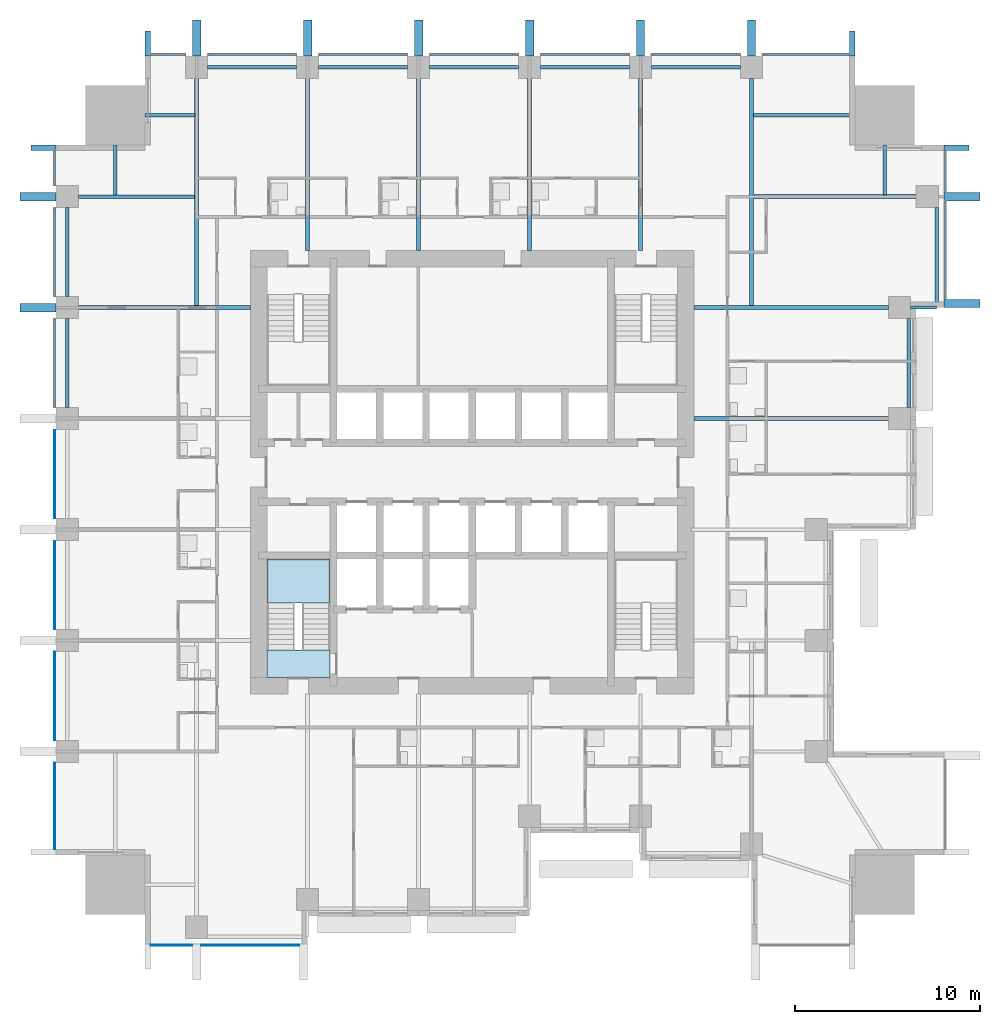
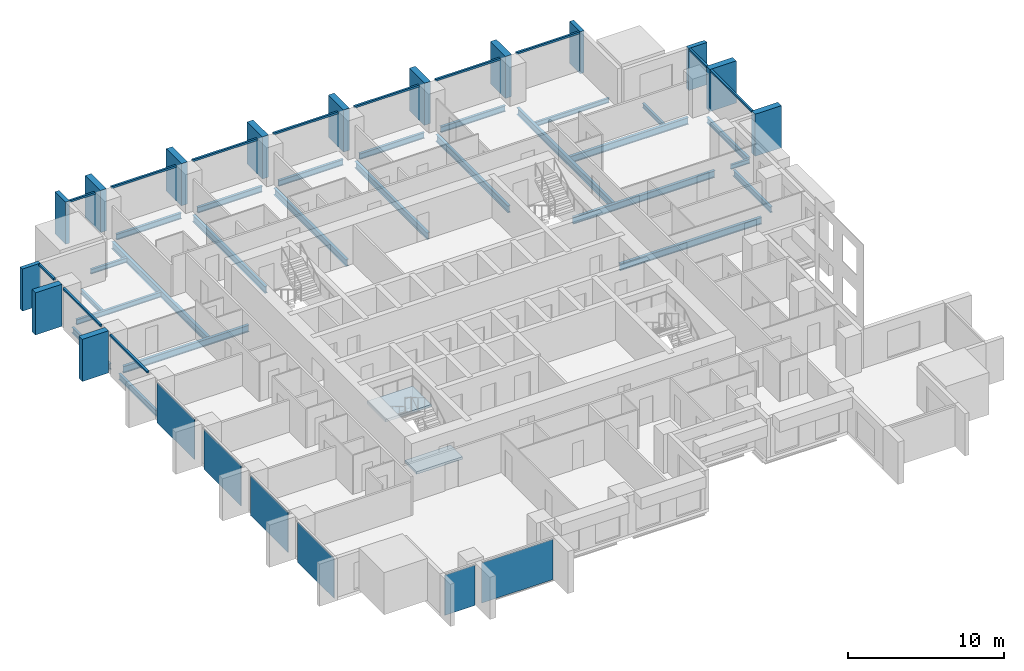
# One storey, part 2 of 10: 26 members, 25 beams, 6 plates, 2 slabs, 5 elements without a shape of their own.
"""IFC4 building model written with IfcOpenShell, lengths in metres."""

from ifc_helpers import new_model, si_unit, direction, frame, origin, origin_2d, place, context, subcontext, project, spatial, polyline, rectangle, i_section, outline, extrude, material, layer, layer_set, material_profile, profile_set, type_object, element, aggregate, save


model = new_model("IFC4")

# Units and contexts
model_context = context("Model", 3, precision=1e-05, world=origin(), true_north=direction((0.0, 1.0)))
body_context = subcontext(model_context, "Body", "Model", "MODEL_VIEW")
ifc_project = project(units=[si_unit("LENGTHUNIT", "METRE"), si_unit("AREAUNIT", "SQUARE_METRE"), si_unit("VOLUMEUNIT", "CUBIC_METRE"), si_unit("PLANEANGLEUNIT", "RADIAN"), si_unit("MASSUNIT", "GRAM", prefix="KILO")], contexts=[model_context])

# Site, building, storey
site_placement = place(None, origin())
site = spatial("IfcSite", under=ifc_project, at=site_placement, CompositionType="ELEMENT")
building_placement = place(site_placement, origin())
building = spatial("IfcBuilding", under=site, at=building_placement, Name="Amberfall Residences", CompositionType="ELEMENT")
storey_placement = place(building_placement, frame((0.0, 0.0, 30.10009765625)))
storey = spatial("IfcBuildingStorey", under=building, at=storey_placement, Name="L07", CompositionType="ELEMENT", Elevation=30.10009765625)

# Curtain wall, members
ifc_material_1 = material(Name="Bronze anodised aluminium and glass", Category="aluminium")
curtain_wall_type = type_object("IfcCurtainWallType", Name="Curtain wall CW1 tower unit", PredefinedType="USERDEFINED", material=ifc_material_1)
curtain_wall_1_placement = place(storey_placement, origin())
curtain_wall_1 = element("IfcCurtainWall", 1, at=curtain_wall_1_placement, inside=storey, type_object=curtain_wall_type, Name="Curtain wall L07 E E9", ObjectType="UNITISED CURTAIN WALL", PredefinedType="USERDEFINED")
ifc_material_2 = material(Name="Bronze anodised aluminium", Category="aluminium")
ifc_material_profile_1 = material_profile(ifc_material_2, rectangle(XDim=0.14990234375, YDim=0.14990234375, at=origin_2d()), Name="CW1 transom 150 x 150 bronze")
ifc_profile_set_1 = profile_set([ifc_material_profile_1], Name="Bronze anodised aluminium")
member_type_1 = type_object("IfcMemberType", Name="CW1 transom 150 x 150 bronze", PredefinedType="USERDEFINED", material=ifc_profile_set_1)
member_1_placement = place(storey_placement, frame((100.074951171875, 54.85009765625, 2.974853515625), z_axis=(0.0, 1.0, 0.0), x_axis=(-1.0, 0.0, 0.0)))
member_1 = element("IfcMember", 2, at=member_1_placement, type_object=member_type_1, Name="CW1 transom 1.1", ObjectType="TRANSOM", PredefinedType="USERDEFINED", context=body_context, shape_type="SweptSolid", body=[
    extrude(rectangle(XDim=0.14990234375, YDim=0.14990234375, at=origin_2d()), origin(), (0.0, 0.0, 1.0), 5.324951171875),
])
member_2_placement = place(storey_placement, frame((100.074951171875, 60.625, 2.974853515625), z_axis=(0.0, 1.0, 0.0), x_axis=(-1.0, 0.0, 0.0)))
member_2 = element("IfcMember", 3, at=member_2_placement, type_object=member_type_1, Name="CW1 transom 2.1", ObjectType="TRANSOM", PredefinedType="USERDEFINED", context=body_context, shape_type="SweptSolid", body=[
    extrude(rectangle(XDim=0.14990234375, YDim=0.14990234375, at=origin_2d()), origin(), (0.0, 0.0, 1.0), 2.27490234375),
])

curtain_wall_2_placement = place(storey_placement, origin())
curtain_wall_2 = element("IfcCurtainWall", 4, at=curtain_wall_2_placement, inside=storey, type_object=curtain_wall_type, Name="Curtain wall L07 N N1", ObjectType="UNITISED CURTAIN WALL", PredefinedType="USERDEFINED")
member_3_placement = place(storey_placement, frame((94.89990234375, 68.074951171875, 2.974853515625), z_axis=(-1.0, 0.0, 0.0), x_axis=(0.0, -1.0, 0.0)))
member_3 = element("IfcMember", 5, at=member_3_placement, type_object=member_type_1, Name="CW1 transom 1.1", ObjectType="TRANSOM", PredefinedType="USERDEFINED", context=body_context, shape_type="SweptSolid", body=[
    extrude(rectangle(XDim=0.14990234375, YDim=0.14990234375, at=origin_2d()), origin(), (0.0, 0.0, 1.0), 4.69482421875),
])
member_4_placement = place(storey_placement, frame((88.9951171875, 68.074951171875, 2.974853515625), z_axis=(-1.0, 0.0, 0.0), x_axis=(0.0, -1.0, 0.0)))
member_4 = element("IfcMember", 6, at=member_4_placement, type_object=member_type_1, Name="CW1 transom 2.1", ObjectType="TRANSOM", PredefinedType="USERDEFINED", context=body_context, shape_type="SweptSolid", body=[
    extrude(rectangle(XDim=0.14990234375, YDim=0.14990234375, at=origin_2d()), origin(), (0.0, 0.0, 1.0), 4.7900390625),
])
member_5_placement = place(storey_placement, frame((82.9951171875, 68.074951171875, 2.974853515625), z_axis=(-1.0, 0.0, 0.0), x_axis=(0.0, -1.0, 0.0)))
member_5 = element("IfcMember", 7, at=member_5_placement, type_object=member_type_1, Name="CW1 transom 3.1", ObjectType="TRANSOM", PredefinedType="USERDEFINED", context=body_context, shape_type="SweptSolid", body=[
    extrude(rectangle(XDim=0.14990234375, YDim=0.14990234375, at=origin_2d()), origin(), (0.0, 0.0, 1.0), 4.7900390625),
])
member_6_placement = place(storey_placement, frame((76.9951171875, 68.074951171875, 2.974853515625), z_axis=(-1.0, 0.0, 0.0), x_axis=(0.0, -1.0, 0.0)))
member_6 = element("IfcMember", 8, at=member_6_placement, type_object=member_type_1, Name="CW1 transom 4.1", ObjectType="TRANSOM", PredefinedType="USERDEFINED", context=body_context, shape_type="SweptSolid", body=[
    extrude(rectangle(XDim=0.14990234375, YDim=0.14990234375, at=origin_2d()), origin(), (0.0, 0.0, 1.0), 4.7900390625),
])
member_7_placement = place(storey_placement, frame((70.9951171875, 68.074951171875, 2.974853515625), z_axis=(-1.0, 0.0, 0.0), x_axis=(0.0, -1.0, 0.0)))
member_7 = element("IfcMember", 9, at=member_7_placement, type_object=member_type_1, Name="CW1 transom 5.1", ObjectType="TRANSOM", PredefinedType="USERDEFINED", context=body_context, shape_type="SweptSolid", body=[
    extrude(rectangle(XDim=0.14990234375, YDim=0.14990234375, at=origin_2d()), origin(), (0.0, 0.0, 1.0), 4.7900390625),
])
member_8_placement = place(storey_placement, frame((64.9951171875, 68.074951171875, 2.974853515625), z_axis=(-1.0, 0.0, 0.0), x_axis=(0.0, -1.0, 0.0)))
member_8 = element("IfcMember", 10, at=member_8_placement, type_object=member_type_1, Name="CW1 transom 6.1", ObjectType="TRANSOM", PredefinedType="USERDEFINED", context=body_context, shape_type="SweptSolid", body=[
    extrude(rectangle(XDim=0.14990234375, YDim=0.14990234375, at=origin_2d()), origin(), (0.0, 0.0, 1.0), 4.7900390625),
])
member_9_placement = place(storey_placement, frame((58.9951171875, 68.074951171875, 2.974853515625), z_axis=(-1.0, 0.0, 0.0), x_axis=(0.0, -1.0, 0.0)))
member_9 = element("IfcMember", 11, at=member_9_placement, type_object=member_type_1, Name="CW1 transom 7.1", ObjectType="TRANSOM", PredefinedType="USERDEFINED", context=body_context, shape_type="SweptSolid", body=[
    extrude(rectangle(XDim=0.14990234375, YDim=0.14990234375, at=origin_2d()), origin(), (0.0, 0.0, 1.0), 1.89501953125),
])

curtain_wall_3_placement = place(storey_placement, origin())
curtain_wall_3 = element("IfcCurtainWall", 12, at=curtain_wall_3_placement, inside=storey, type_object=curtain_wall_type, Name="Curtain wall L07 W W1", ObjectType="UNITISED CURTAIN WALL", PredefinedType="USERDEFINED")
member_10_placement = place(storey_placement, frame((51.925048828125, 62.89990234375, 2.974853515625), z_axis=(0.0, -1.0, 0.0), x_axis=(1.0, 0.0, 0.0)))
member_10 = element("IfcMember", 13, at=member_10_placement, type_object=member_type_1, Name="CW1 transom 1.1", ObjectType="TRANSOM", PredefinedType="USERDEFINED", context=body_context, shape_type="SweptSolid", body=[
    extrude(rectangle(XDim=0.14990234375, YDim=0.14990234375, at=origin_2d()), origin(), (0.0, 0.0, 1.0), 1.89501953125),
])
member_11_placement = place(storey_placement, frame((51.925048828125, 59.794921875, 2.974853515625), z_axis=(0.0, -1.0, 0.0), x_axis=(1.0, 0.0, 0.0)))
member_11 = element("IfcMember", 14, at=member_11_placement, type_object=member_type_1, Name="CW1 transom 2.1", ObjectType="TRANSOM", PredefinedType="USERDEFINED", context=body_context, shape_type="SweptSolid", body=[
    extrude(rectangle(XDim=0.14990234375, YDim=0.14990234375, at=origin_2d()), origin(), (0.0, 0.0, 1.0), 4.7900390625),
])
member_12_placement = place(storey_placement, frame((51.925048828125, 53.794921875, 2.974853515625), z_axis=(0.0, -1.0, 0.0), x_axis=(1.0, 0.0, 0.0)))
member_12 = element("IfcMember", 15, at=member_12_placement, type_object=member_type_1, Name="CW1 transom 3.1", ObjectType="TRANSOM", PredefinedType="USERDEFINED", context=body_context, shape_type="SweptSolid", body=[
    extrude(rectangle(XDim=0.14990234375, YDim=0.14990234375, at=origin_2d()), origin(), (0.0, 0.0, 1.0), 4.7900390625),
])

# Beam
ifc_material_3 = material(Name="Steel S355", Category="steel")
ifc_material_profile_2 = material_profile(ifc_material_3, i_section(OverallWidth=0.171142578125, OverallDepth=0.351318359375, WebThickness=0.007080078125, FlangeThickness=0.009765625, FilletRadius=0.01025390625, at=origin_2d()), Name="UB 356x171x45")
ifc_profile_set_2 = profile_set([ifc_material_profile_2], Name="Steel S355")
beam_type_1 = type_object("IfcBeamType", Name="Cantilever girder UB 356x171x45", PredefinedType="BEAM", material=ifc_profile_set_2)
beam_1_placement = place(storey_placement, frame((98.199951171875, 54.39990234375, -0.42578125), z_axis=(1.0, 0.0, 0.0), x_axis=(0.0, 1.0, 0.0)))
element("IfcBeam", 16, at=beam_1_placement, inside=storey, type_object=beam_type_1, Name="Cantilever girder B8 L07 21", PredefinedType="BEAM", context=body_context, shape_type="SweptSolid", body=[
    extrude(i_section(OverallWidth=0.171142578125, OverallDepth=0.351318359375, WebThickness=0.007080078125, FlangeThickness=0.009765625, FilletRadius=0.01025390625, at=origin_2d()), origin(), (0.0, 0.0, 1.0), 1.400146484375),
])

# Member
ifc_material_profile_3 = material_profile(ifc_material_2, rectangle(XDim=1.35009765625, YDim=0.300048828125, at=origin_2d()), Name="Corner fin 300 x 1350 bronze")
ifc_profile_set_3 = profile_set([ifc_material_profile_3], Name="Bronze anodised aluminium")
member_type_2 = type_object("IfcMemberType", Name="Corner fin 300 x 1350 bronze", PredefinedType="MULLION", material=ifc_profile_set_3)
member_13_placement = place(storey_placement, frame((100.675048828125, 63.050048828125, -0.25), z_axis=(0.0, 0.0, 1.0), x_axis=(-1.0, 0.0, 0.0)))
member_13 = element("IfcMember", 17, at=member_13_placement, type_object=member_type_2, Name="CW FIN 3", PredefinedType="MULLION", context=body_context, shape_type="SweptSolid", body=[
    extrude(rectangle(XDim=1.35009765625, YDim=0.300048828125, at=origin_2d()), origin(), (0.0, 0.0, 1.0), 3.2998046875),
])

member_14_placement = place(storey_placement, frame((95.050048828125, 68.675048828125, -0.25), z_axis=(0.0, 0.0, 1.0), x_axis=(0.0, -1.0, 0.0)))
member_14 = element("IfcMember", 18, at=member_14_placement, type_object=member_type_2, Name="CW FIN 1", PredefinedType="MULLION", context=body_context, shape_type="SweptSolid", body=[
    extrude(rectangle(XDim=1.35009765625, YDim=0.300048828125, at=origin_2d()), origin(), (0.0, 0.0, 1.0), 3.2998046875),
])

member_15_placement = place(storey_placement, frame((56.949951171875, 68.675048828125, -0.25), z_axis=(0.0, 0.0, 1.0), x_axis=(0.0, -1.0, 0.0)))
member_15 = element("IfcMember", 19, at=member_15_placement, type_object=member_type_2, Name="CW FIN 8", PredefinedType="MULLION", context=body_context, shape_type="SweptSolid", body=[
    extrude(rectangle(XDim=1.35009765625, YDim=0.300048828125, at=origin_2d()), origin(), (0.0, 0.0, 1.0), 3.2998046875),
])

member_16_placement = place(storey_placement, frame((51.324951171875, 63.050048828125, -0.25), z_axis=(0.0, 0.0, 1.0), x_axis=(1.0, 0.0, 0.0)))
member_16 = element("IfcMember", 20, at=member_16_placement, type_object=member_type_2, Name="CW FIN 1", PredefinedType="MULLION", context=body_context, shape_type="SweptSolid", body=[
    extrude(rectangle(XDim=1.35009765625, YDim=0.300048828125, at=origin_2d()), origin(), (0.0, 0.0, 1.0), 3.2998046875),
])

# Beams
ifc_material_profile_4 = material_profile(ifc_material_3, i_section(OverallWidth=0.18994140625, OverallDepth=0.453369140625, WebThickness=0.008544921875, FlangeThickness=0.0126953125, FilletRadius=0.01025390625, at=origin_2d()), Name="UB 457x191x67")
ifc_profile_set_4 = profile_set([ifc_material_profile_4], Name="Steel S355")
beam_type_2 = type_object("IfcBeamType", Name="Edge beam UB 457x191x67", PredefinedType="SPANDREL", material=ifc_profile_set_4)
beam_2_placement = place(storey_placement, frame((98.10009765625, 49.0, -0.476806640625), z_axis=(0.0, 1.0, 0.0), x_axis=(-1.0, 0.0, 0.0)))
element("IfcBeam", 21, at=beam_2_placement, inside=storey, type_object=beam_type_2, Name="Edge beam B1 L07 18", PredefinedType="SPANDREL", context=body_context, shape_type="SweptSolid", body=[
    extrude(i_section(OverallWidth=0.18994140625, OverallDepth=0.453369140625, WebThickness=0.008544921875, FlangeThickness=0.0126953125, FilletRadius=0.01025390625, at=origin_2d()), origin(), (0.0, 0.0, 1.0), 4.800048828125),
])
beam_3_placement = place(storey_placement, frame((99.60009765625, 54.47998046875, -0.476806640625), z_axis=(0.0, 1.0, 0.0), x_axis=(-1.0, 0.0, 0.0)))
element("IfcBeam", 22, at=beam_3_placement, inside=storey, type_object=beam_type_2, Name="Edge beam B1 L07 19", PredefinedType="SPANDREL", context=body_context, shape_type="SweptSolid", body=[
    extrude(i_section(OverallWidth=0.18994140625, OverallDepth=0.453369140625, WebThickness=0.008544921875, FlangeThickness=0.0126953125, FilletRadius=0.01025390625, at=origin_2d()), origin(), (0.0, 0.0, 1.0), 5.320068359375),
])
for number, where, z_axis, x_axis, name in (
    (23, (60.199951171875, 67.39990234375, -0.476806640625), (1.0, 0.0, 0.0), (0.0, 1.0, 0.0), "Edge beam B1 L07 28"),
    (24, (66.199951171875, 67.39990234375, -0.476806640625), (1.0, 0.0, 0.0), (0.0, 1.0, 0.0), "Edge beam B1 L07 29"),
    (25, (72.199951171875, 67.39990234375, -0.476806640625), (1.0, 0.0, 0.0), (0.0, 1.0, 0.0), "Edge beam B1 L07 30"),
    (26, (78.199951171875, 67.39990234375, -0.476806640625), (1.0, 0.0, 0.0), (0.0, 1.0, 0.0), "Edge beam B1 L07 31"),
    (27, (84.199951171875, 67.39990234375, -0.476806640625), (1.0, 0.0, 0.0), (0.0, 1.0, 0.0), "Edge beam B1 L07 32"),
    (28, (52.60009765625, 49.0, -0.476806640625), (0.0, 1.0, 0.0), (-1.0, 0.0, 0.0), "Edge beam B1 L07 42"),
    (29, (52.60009765625, 55.0, -0.476806640625), (0.0, 1.0, 0.0), (-1.0, 0.0, 0.0), "Edge beam B1 L07 43"),
):
    element("IfcBeam", number, at=place(storey_placement, frame(where, z_axis=z_axis, x_axis=x_axis)), inside=storey, type_object=beam_type_2, Name=name, PredefinedType="SPANDREL", context=body_context, shape_type="SweptSolid", body=[
        extrude(i_section(OverallWidth=0.18994140625, OverallDepth=0.453369140625, WebThickness=0.008544921875, FlangeThickness=0.0126953125, FilletRadius=0.01025390625, at=origin_2d()), origin(), (0.0, 0.0, 1.0), 4.800048828125),
    ])

# Member
ifc_material_profile_5 = material_profile(ifc_material_2, rectangle(XDim=1.949951171875, YDim=0.449951171875, at=origin_2d()), Name="Fin 450 x 1950 bronze")
ifc_profile_set_5 = profile_set([ifc_material_profile_5], Name="Bronze anodised aluminium")
member_type_3 = type_object("IfcMemberType", Name="Fin 450 x 1950 bronze", PredefinedType="MULLION", material=ifc_profile_set_5)
member_17_placement = place(storey_placement, frame((100.97509765625, 54.625, -0.25), z_axis=(0.0, 0.0, 1.0), x_axis=(-1.0, 0.0, 0.0)))
member_17 = element("IfcMember", 30, at=member_17_placement, type_object=member_type_3, Name="CW FIN 1", PredefinedType="MULLION", context=body_context, shape_type="SweptSolid", body=[
    extrude(rectangle(XDim=1.949951171875, YDim=0.449951171875, at=origin_2d()), origin(), (0.0, 0.0, 1.0), 3.2998046875),
])

member_18_placement = place(storey_placement, frame((100.97509765625, 60.39990234375, -0.25), z_axis=(0.0, 0.0, 1.0), x_axis=(-1.0, 0.0, 0.0)))
member_18 = element("IfcMember", 31, at=member_18_placement, type_object=member_type_3, Name="CW FIN 2", PredefinedType="MULLION", context=body_context, shape_type="SweptSolid", body=[
    extrude(rectangle(XDim=1.949951171875, YDim=0.449951171875, at=origin_2d()), origin(), (0.0, 0.0, 1.0), 3.2998046875),
])

aggregate(curtain_wall_1, [member_17, member_18, member_13, member_1, member_2])

member_19_placement = place(storey_placement, frame((89.60009765625, 68.97509765625, -0.25), z_axis=(0.0, 0.0, 1.0), x_axis=(0.0, -1.0, 0.0)))
member_19 = element("IfcMember", 32, at=member_19_placement, type_object=member_type_3, Name="CW FIN 2", PredefinedType="MULLION", context=body_context, shape_type="SweptSolid", body=[
    extrude(rectangle(XDim=1.949951171875, YDim=0.449951171875, at=origin_2d()), origin(), (0.0, 0.0, 1.0), 3.2998046875),
])

member_20_placement = place(storey_placement, frame((83.60009765625, 68.97509765625, -0.25), z_axis=(0.0, 0.0, 1.0), x_axis=(0.0, -1.0, 0.0)))
member_20 = element("IfcMember", 33, at=member_20_placement, type_object=member_type_3, Name="CW FIN 3", PredefinedType="MULLION", context=body_context, shape_type="SweptSolid", body=[
    extrude(rectangle(XDim=1.949951171875, YDim=0.449951171875, at=origin_2d()), origin(), (0.0, 0.0, 1.0), 3.2998046875),
])

member_21_placement = place(storey_placement, frame((77.60009765625, 68.97509765625, -0.25), z_axis=(0.0, 0.0, 1.0), x_axis=(0.0, -1.0, 0.0)))
member_21 = element("IfcMember", 34, at=member_21_placement, type_object=member_type_3, Name="CW FIN 4", PredefinedType="MULLION", context=body_context, shape_type="SweptSolid", body=[
    extrude(rectangle(XDim=1.949951171875, YDim=0.449951171875, at=origin_2d()), origin(), (0.0, 0.0, 1.0), 3.2998046875),
])

member_22_placement = place(storey_placement, frame((71.60009765625, 68.97509765625, -0.25), z_axis=(0.0, 0.0, 1.0), x_axis=(0.0, -1.0, 0.0)))
member_22 = element("IfcMember", 35, at=member_22_placement, type_object=member_type_3, Name="CW FIN 5", PredefinedType="MULLION", context=body_context, shape_type="SweptSolid", body=[
    extrude(rectangle(XDim=1.949951171875, YDim=0.449951171875, at=origin_2d()), origin(), (0.0, 0.0, 1.0), 3.2998046875),
])

member_23_placement = place(storey_placement, frame((65.60009765625, 68.97509765625, -0.25), z_axis=(0.0, 0.0, 1.0), x_axis=(0.0, -1.0, 0.0)))
member_23 = element("IfcMember", 36, at=member_23_placement, type_object=member_type_3, Name="CW FIN 6", PredefinedType="MULLION", context=body_context, shape_type="SweptSolid", body=[
    extrude(rectangle(XDim=1.949951171875, YDim=0.449951171875, at=origin_2d()), origin(), (0.0, 0.0, 1.0), 3.2998046875),
])

member_24_placement = place(storey_placement, frame((59.60009765625, 68.97509765625, -0.25), z_axis=(0.0, 0.0, 1.0), x_axis=(0.0, -1.0, 0.0)))
member_24 = element("IfcMember", 37, at=member_24_placement, type_object=member_type_3, Name="CW FIN 7", PredefinedType="MULLION", context=body_context, shape_type="SweptSolid", body=[
    extrude(rectangle(XDim=1.949951171875, YDim=0.449951171875, at=origin_2d()), origin(), (0.0, 0.0, 1.0), 3.2998046875),
])

aggregate(curtain_wall_2, [member_14, member_19, member_20, member_21, member_22, member_23, member_24, member_15, member_3, member_4, member_5, member_6, member_7, member_8, member_9])

member_25_placement = place(storey_placement, frame((51.02490234375, 60.39990234375, -0.25), z_axis=(0.0, 0.0, 1.0), x_axis=(1.0, 0.0, 0.0)))
member_25 = element("IfcMember", 38, at=member_25_placement, type_object=member_type_3, Name="CW FIN 2", PredefinedType="MULLION", context=body_context, shape_type="SweptSolid", body=[
    extrude(rectangle(XDim=1.949951171875, YDim=0.449951171875, at=origin_2d()), origin(), (0.0, 0.0, 1.0), 3.2998046875),
])

member_26_placement = place(storey_placement, frame((51.02490234375, 54.39990234375, -0.25), z_axis=(0.0, 0.0, 1.0), x_axis=(1.0, 0.0, 0.0)))
member_26 = element("IfcMember", 39, at=member_26_placement, type_object=member_type_3, Name="CW FIN 3", PredefinedType="MULLION", context=body_context, shape_type="SweptSolid", body=[
    extrude(rectangle(XDim=1.949951171875, YDim=0.449951171875, at=origin_2d()), origin(), (0.0, 0.0, 1.0), 3.2998046875),
])

# Beams
ifc_material_profile_6 = material_profile(ifc_material_3, i_section(OverallWidth=0.177734375, OverallDepth=0.402587890625, WebThickness=0.0078125, FlangeThickness=0.010986328125, FilletRadius=0.01025390625, at=origin_2d()), Name="UB 406x178x54")
ifc_profile_set_6 = profile_set([ifc_material_profile_6], Name="Steel S355")
beam_type_3 = type_object("IfcBeamType", Name="Floor girder UB 406x178x54", PredefinedType="BEAM", material=ifc_profile_set_6)
beam_4_placement = place(storey_placement, frame((53.199951171875, 60.39990234375, -0.451416015625), z_axis=(1.0, 0.0, 0.0), x_axis=(0.0, 1.0, 0.0)))
element("IfcBeam", 40, at=beam_4_placement, inside=storey, type_object=beam_type_3, Name="Floor girder B4 L07 49", PredefinedType="BEAM", context=body_context, shape_type="SweptSolid", body=[
    extrude(i_section(OverallWidth=0.177734375, OverallDepth=0.402587890625, WebThickness=0.0078125, FlangeThickness=0.010986328125, FilletRadius=0.01025390625, at=origin_2d()), origin(), (0.0, 0.0, 1.0), 6.280029296875),
])
ifc_material_profile_7 = material_profile(ifc_material_3, i_section(OverallWidth=0.210693359375, OverallDepth=0.53955078125, WebThickness=0.01171875, FlangeThickness=0.018798828125, FilletRadius=0.0126953125, at=origin_2d()), Name="UB 533x210x109")
ifc_profile_set_7 = profile_set([ifc_material_profile_7], Name="Steel S355")
beam_type_4 = type_object("IfcBeamType", Name="Floor girder UB 533x210x109", PredefinedType="BEAM", material=ifc_profile_set_7)
for number, where, z_axis, x_axis, name in (
    (41, (59.60009765625, 66.800048828125, -0.519775390625), (0.0, -1.0, 0.0), (1.0, 0.0, 0.0), "Floor girder B2 L07 33"),
    (42, (89.60009765625, 66.800048828125, -0.519775390625), (0.0, -1.0, 0.0), (1.0, 0.0, 0.0), "Floor girder B2 L07 38"),
):
    element("IfcBeam", number, at=place(storey_placement, frame(where, z_axis=z_axis, x_axis=x_axis)), inside=storey, type_object=beam_type_4, Name=name, PredefinedType="BEAM", context=body_context, shape_type="SweptSolid", body=[
        extrude(i_section(OverallWidth=0.210693359375, OverallDepth=0.53955078125, WebThickness=0.01171875, FlangeThickness=0.018798828125, FilletRadius=0.0126953125, at=origin_2d()), origin(), (0.0, 0.0, 1.0), 12.300537109375),
    ])
ifc_material_profile_8 = material_profile(ifc_material_3, i_section(OverallWidth=0.209228515625, OverallDepth=0.533203125, WebThickness=0.010009765625, FlangeThickness=0.015625, FilletRadius=0.0126953125, at=origin_2d()), Name="UB 533x210x92")
ifc_profile_set_8 = profile_set([ifc_material_profile_8], Name="Steel S355")
beam_type_5 = type_object("IfcBeamType", Name="Floor girder UB 533x210x92", PredefinedType="BEAM", material=ifc_profile_set_8)
for number, where, z_axis, x_axis, name in (
    (43, (97.0, 48.39990234375, -0.5166015625), (-1.0, 0.0, 0.0), (0.0, -1.0, 0.0), "Floor girder B3 L07 25"),
    (44, (97.0, 54.39990234375, -0.5166015625), (-1.0, 0.0, 0.0), (0.0, -1.0, 0.0), "Floor girder B3 L07 26"),
):
    element("IfcBeam", number, at=place(storey_placement, frame(where, z_axis=z_axis, x_axis=x_axis)), inside=storey, type_object=beam_type_5, Name=name, PredefinedType="BEAM", context=body_context, shape_type="SweptSolid", body=[
        extrude(i_section(OverallWidth=0.209228515625, OverallDepth=0.533203125, WebThickness=0.010009765625, FlangeThickness=0.015625, FilletRadius=0.0126953125, at=origin_2d()), origin(), (0.0, 0.0, 1.0), 10.5),
    ])
beam_5_placement = place(storey_placement, frame((98.5, 60.39990234375, -0.5166015625), z_axis=(-1.0, 0.0, 0.0), x_axis=(0.0, -1.0, 0.0)))
element("IfcBeam", 45, at=beam_5_placement, inside=storey, type_object=beam_type_5, Name="Floor girder B3 L07 27", PredefinedType="BEAM", context=body_context, shape_type="SweptSolid", body=[
    extrude(i_section(OverallWidth=0.209228515625, OverallDepth=0.533203125, WebThickness=0.010009765625, FlangeThickness=0.015625, FilletRadius=0.0126953125, at=origin_2d()), origin(), (0.0, 0.0, 1.0), 8.780029296875),
])
for number, where, z_axis, x_axis, name in (
    (46, (65.60009765625, 66.800048828125, -0.5166015625), (0.0, -1.0, 0.0), (1.0, 0.0, 0.0), "Floor girder B3 L07 34"),
    (47, (71.60009765625, 66.800048828125, -0.5166015625), (0.0, -1.0, 0.0), (1.0, 0.0, 0.0), "Floor girder B3 L07 35"),
    (48, (77.60009765625, 66.800048828125, -0.5166015625), (0.0, -1.0, 0.0), (1.0, 0.0, 0.0), "Floor girder B3 L07 36"),
    (49, (83.60009765625, 66.800048828125, -0.5166015625), (0.0, -1.0, 0.0), (1.0, 0.0, 0.0), "Floor girder B3 L07 37"),
    (50, (53.199951171875, 54.39990234375, -0.5166015625), (1.0, 0.0, 0.0), (0.0, 1.0, 0.0), "Floor girder B3 L07 48"),
):
    element("IfcBeam", number, at=place(storey_placement, frame(where, z_axis=z_axis, x_axis=x_axis)), inside=storey, type_object=beam_type_5, Name=name, PredefinedType="BEAM", context=body_context, shape_type="SweptSolid", body=[
        extrude(i_section(OverallWidth=0.209228515625, OverallDepth=0.533203125, WebThickness=0.010009765625, FlangeThickness=0.015625, FilletRadius=0.0126953125, at=origin_2d()), origin(), (0.0, 0.0, 1.0), 9.300048828125),
    ])
ifc_material_profile_9 = material_profile(ifc_material_3, i_section(OverallWidth=0.171142578125, OverallDepth=0.351318359375, WebThickness=0.007080078125, FlangeThickness=0.009765625, FilletRadius=0.01025390625, at=origin_2d()), Name="UB 356x171x45")
ifc_profile_set_9 = profile_set([ifc_material_profile_9], Name="Steel S355")
beam_type_6 = type_object("IfcBeamType", Name="Link beam UB 356x171x45", PredefinedType="BEAM", material=ifc_profile_set_9)
beam_6_placement = place(storey_placement, frame((95.199951171875, 64.800048828125, -0.42578125), z_axis=(-1.0, 0.0, 0.0), x_axis=(0.0, -1.0, 0.0)))
element("IfcBeam", 51, at=beam_6_placement, inside=storey, type_object=beam_type_6, Name="Link beam B7 L07 54", PredefinedType="BEAM", context=body_context, shape_type="SweptSolid", body=[
    extrude(i_section(OverallWidth=0.171142578125, OverallDepth=0.351318359375, WebThickness=0.007080078125, FlangeThickness=0.009765625, FilletRadius=0.01025390625, at=origin_2d()), origin(), (0.0, 0.0, 1.0), 5.504638671875),
])
beam_7_placement = place(storey_placement, frame((96.800048828125, 63.199951171875, -0.42578125), z_axis=(0.0, -1.0, 0.0), x_axis=(1.0, 0.0, 0.0)))
element("IfcBeam", 52, at=beam_7_placement, inside=storey, type_object=beam_type_6, Name="Link beam B7 L07 55", PredefinedType="BEAM", context=body_context, shape_type="SweptSolid", body=[
    extrude(i_section(OverallWidth=0.171142578125, OverallDepth=0.351318359375, WebThickness=0.007080078125, FlangeThickness=0.009765625, FilletRadius=0.01025390625, at=origin_2d()), origin(), (0.0, 0.0, 1.0), 2.705322265625),
])
beam_8_placement = place(storey_placement, frame((56.800048828125, 64.800048828125, -0.42578125), z_axis=(1.0, 0.0, 0.0), x_axis=(0.0, 1.0, 0.0)))
element("IfcBeam", 53, at=beam_8_placement, inside=storey, type_object=beam_type_6, Name="Link beam B7 L07 56", PredefinedType="BEAM", context=body_context, shape_type="SweptSolid", body=[
    extrude(i_section(OverallWidth=0.171142578125, OverallDepth=0.351318359375, WebThickness=0.007080078125, FlangeThickness=0.009765625, FilletRadius=0.01025390625, at=origin_2d()), origin(), (0.0, 0.0, 1.0), 2.70458984375),
])
beam_9_placement = place(storey_placement, frame((55.199951171875, 63.199951171875, -0.42578125), z_axis=(0.0, -1.0, 0.0), x_axis=(1.0, 0.0, 0.0)))
element("IfcBeam", 54, at=beam_9_placement, inside=storey, type_object=beam_type_6, Name="Link beam B7 L07 57", PredefinedType="BEAM", context=body_context, shape_type="SweptSolid", body=[
    extrude(i_section(OverallWidth=0.171142578125, OverallDepth=0.351318359375, WebThickness=0.007080078125, FlangeThickness=0.009765625, FilletRadius=0.01025390625, at=origin_2d()), origin(), (0.0, 0.0, 1.0), 2.720947265625),
])

# Curtain wall, plates
curtain_wall_4_placement = place(storey_placement, origin())
curtain_wall_4 = element("IfcCurtainWall", 55, at=curtain_wall_4_placement, inside=storey, type_object=curtain_wall_type, Name="Curtain wall L07 S S1", ObjectType="UNITISED CURTAIN WALL", PredefinedType="USERDEFINED")
ifc_material_4 = material(Name="Tinted double glazed unit", Category="glass")
ifc_layer_1 = layer(ifc_material_4, 0.035888671875)
ifc_layer_set_1 = layer_set([ifc_layer_1], Name="CW1 panel 36 glazing")
plate_type = type_object("IfcPlateType", Name="CW1 panel 36 glazing", PredefinedType="CURTAIN_PANEL", material=ifc_layer_set_1)
plate_1_placement = place(storey_placement, frame((58.237548828125, 19.925048828125, -0.25), z_axis=(0.0, 0.0, 1.0), x_axis=(1.0, 0.0, 0.0)))
plate_1 = element("IfcPlate", 56, at=plate_1_placement, type_object=plate_type, Name="CW1 panel 1.1", PredefinedType="CURTAIN_PANEL", context=body_context, shape_type="SweptSolid", body=[
    extrude(rectangle(XDim=2.2509765625, YDim=0.035888671875, at=origin_2d()), origin(), (0.0, 0.0, 1.0), 3.14990234375),
])
plate_2_placement = place(storey_placement, frame((62.487548828125, 19.925048828125, -0.25), z_axis=(0.0, 0.0, 1.0), x_axis=(1.0, 0.0, 0.0)))
plate_2 = element("IfcPlate", 57, at=plate_2_placement, type_object=plate_type, Name="CW1 panel 2.1", PredefinedType="CURTAIN_PANEL", context=body_context, shape_type="SweptSolid", body=[
    extrude(rectangle(XDim=5.301025390625, YDim=0.035888671875, at=origin_2d()), origin(), (0.0, 0.0, 1.0), 3.14990234375),
])
aggregate(curtain_wall_4, [plate_1, plate_2])

# Plate
plate_3_placement = place(storey_placement, frame((51.925048828125, 45.39990234375, -0.25), z_axis=(0.0, 0.0, 1.0), x_axis=(0.0, -1.0, 0.0)))
plate_3 = element("IfcPlate", 58, at=plate_3_placement, type_object=plate_type, Name="CW1 panel 4.1", PredefinedType="CURTAIN_PANEL", context=body_context, shape_type="SweptSolid", body=[
    extrude(rectangle(XDim=4.76611328125, YDim=0.035888671875, at=origin_2d()), origin(), (0.0, 0.0, 1.0), 3.14990234375),
])

plate_4_placement = place(storey_placement, frame((51.925048828125, 39.39990234375, -0.25), z_axis=(0.0, 0.0, 1.0), x_axis=(0.0, -1.0, 0.0)))
plate_4 = element("IfcPlate", 59, at=plate_4_placement, type_object=plate_type, Name="CW1 panel 5.1", PredefinedType="CURTAIN_PANEL", context=body_context, shape_type="SweptSolid", body=[
    extrude(rectangle(XDim=4.76611328125, YDim=0.035888671875, at=origin_2d()), origin(), (0.0, 0.0, 1.0), 3.14990234375),
])

plate_5_placement = place(storey_placement, frame((51.925048828125, 33.39990234375, -0.25), z_axis=(0.0, 0.0, 1.0), x_axis=(0.0, -1.0, 0.0)))
plate_5 = element("IfcPlate", 60, at=plate_5_placement, type_object=plate_type, Name="CW1 panel 6.1", PredefinedType="CURTAIN_PANEL", context=body_context, shape_type="SweptSolid", body=[
    extrude(rectangle(XDim=4.76611328125, YDim=0.035888671875, at=origin_2d()), origin(), (0.0, 0.0, 1.0), 3.14990234375),
])

plate_6_placement = place(storey_placement, frame((51.925048828125, 27.447509765625, -0.25), z_axis=(0.0, 0.0, 1.0), x_axis=(0.0, -1.0, 0.0)))
plate_6 = element("IfcPlate", 61, at=plate_6_placement, type_object=plate_type, Name="CW1 panel 7.1", PredefinedType="CURTAIN_PANEL", context=body_context, shape_type="SweptSolid", body=[
    extrude(rectangle(XDim=4.6708984375, YDim=0.035888671875, at=origin_2d()), origin(), (0.0, 0.0, 1.0), 3.14990234375),
])

aggregate(curtain_wall_3, [member_16, member_25, member_26, member_10, member_11, member_12, plate_3, plate_4, plate_5, plate_6])

# Stair, slabs
ifc_material_5 = material(Name="Concrete C40", Category="concrete")
stair_type = type_object("IfcStairType", Name="Exit stair 20 risers 165.0 mm", PredefinedType="HALF_TURN_STAIR", material=ifc_material_5)
stair_placement = place(storey_placement, origin())
stair = element("IfcStair", 62, at=stair_placement, inside=storey, type_object=stair_type, Name="L07 Exit stair 1", PredefinedType="HALF_TURN_STAIR")
ifc_layer_2 = layer(ifc_material_5, 0.199951171875)
ifc_layer_set_2 = layer_set([ifc_layer_2], Name="Stair landing 200")
slab_type = type_object("IfcSlabType", Name="Stair landing 200", PredefinedType="LANDING", material=ifc_layer_set_2)
slab_1_placement = place(storey_placement, frame((0.0, 0.0, 1.449951171875)))
slab_1 = element("IfcSlab", 63, at=slab_1_placement, type_object=slab_type, Name="ST3 landing 1", PredefinedType="LANDING", context=body_context, shape_type="SweptSolid", body=[
    extrude(outline(polyline([(66.800048828125, 38.419921875), (66.800048828125, 40.800048828125), (63.39990234375, 40.800048828125), (63.39990234375, 38.419921875), (66.800048828125, 38.419921875)])), origin(), (0.0, 0.0, 1.0), 0.199951171875),
])
slab_2_placement = place(storey_placement, frame((0.0, 0.0, -0.2001953125)))
slab_2 = element("IfcSlab", 64, at=slab_2_placement, type_object=slab_type, Name="ST3 landing 2", PredefinedType="LANDING", context=body_context, shape_type="SweptSolid", body=[
    extrude(outline(polyline([(66.800048828125, 34.39990234375), (66.800048828125, 35.89990234375), (63.39990234375, 35.89990234375), (63.39990234375, 34.39990234375), (66.800048828125, 34.39990234375)])), origin(), (0.0, 0.0, 1.0), 0.2001953125),
])
aggregate(stair, [slab_1, slab_2])

save(model, "model.ifc")
